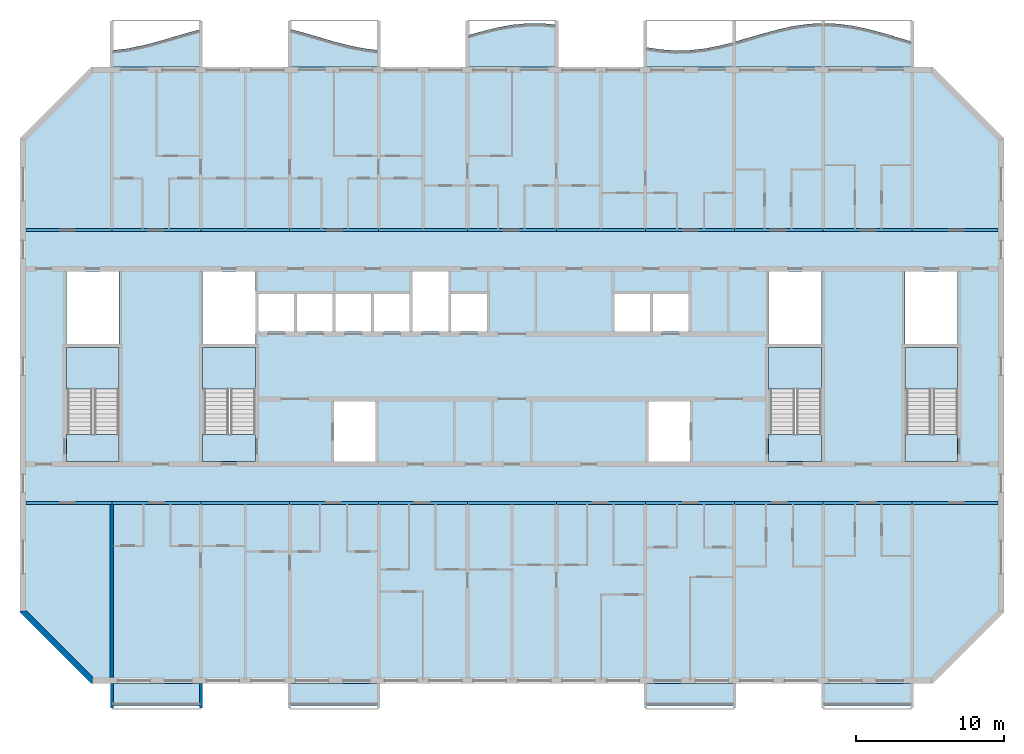
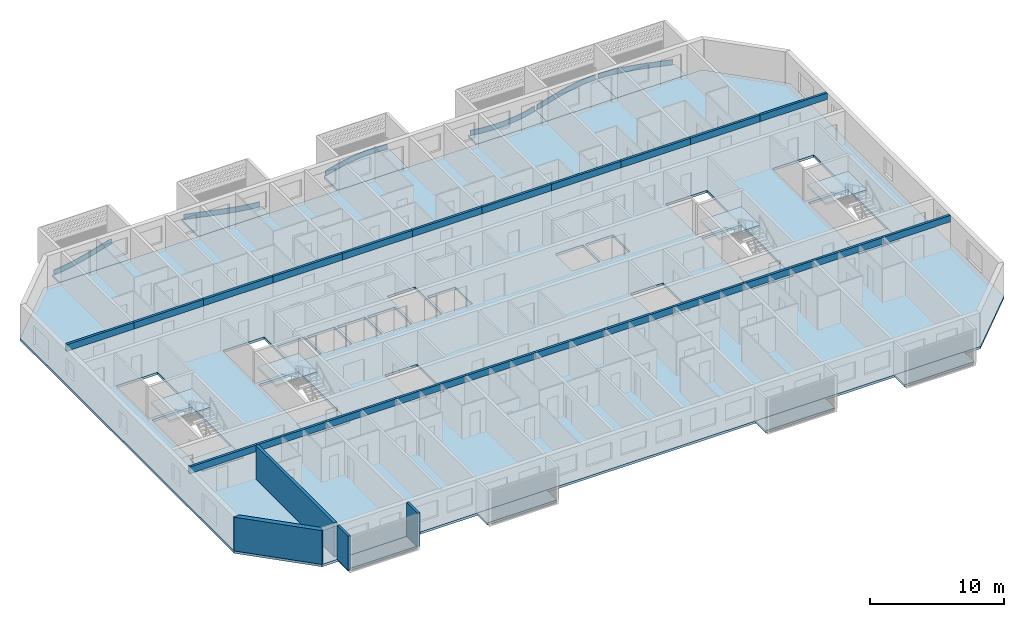
# One storey, part 1 of 26: 22 beams, 19 slabs, 6 plates, 4 walls, 4 elements without a shape of their own.
"""IFC4 building model written with IfcOpenShell, lengths in metres."""

from ifc_helpers import new_model, si_unit, direction, frame, frame_2d, origin, origin_2d, place, context, subcontext, project, spatial, polyline, rectangle, outline, extrude, source, transform, mapped, material, layer, layer_set, material_profile, profile_set, type_object, element, aggregate, save


model = new_model("IFC4")

# Units and contexts
model_context = context("Model", 3, precision=1e-05, world=origin(), true_north=direction((0.0, 1.0)))
body_context = subcontext(model_context, "Body", "Model", "MODEL_VIEW")
ifc_project = project(units=[si_unit("LENGTHUNIT", "METRE"), si_unit("AREAUNIT", "SQUARE_METRE"), si_unit("VOLUMEUNIT", "CUBIC_METRE"), si_unit("PLANEANGLEUNIT", "RADIAN"), si_unit("MASSUNIT", "GRAM", prefix="KILO")], contexts=[model_context])

# Site, building, storey
site_placement = place(None, origin())
site = spatial("IfcSite", under=ifc_project, at=site_placement, CompositionType="ELEMENT")
building_placement = place(site_placement, origin())
building = spatial("IfcBuilding", under=site, at=building_placement, Name="Poui Terraces", CompositionType="ELEMENT")
storey_placement = place(building_placement, frame((0.0, 0.0, 247.800048828125)))
storey = spatial("IfcBuildingStorey", under=building, at=storey_placement, Name="L69", CompositionType="ELEMENT", Elevation=247.800048828125)

# Beams
ifc_material_1 = material(Name="Concrete 50 MPa", Category="concrete")
ifc_material_profile = material_profile(ifc_material_1, rectangle(XDim=0.199951171875, YDim=0.60009765625, at=origin_2d()), Name="RC 200x600")
ifc_profile_set = profile_set([ifc_material_profile], Name="Concrete 50 MPa")
beam_type = type_object("IfcBeamType", Name="COUPLING BEAM 200x600 50MPa", PredefinedType="BEAM", material=ifc_profile_set)
shared_shape_1 = source(origin(), body_context, "Body", "SweptSolid", [
    extrude(rectangle(XDim=0.199951171875, YDim=0.60009765625, at=origin_2d()), origin(), (0.0, 0.0, 1.0), 5.800048828125),
])
for number, where, z_axis, x_axis, name in (
    (1, (18.199951171875, 12.0, 2.780029296875), (1.0, 0.0, 0.0), (0.0, 1.0, 0.0), "COUPLING BEAM LINE B BAY 1"),
    (2, (78.0, 12.0, 2.780029296875), (1.0, 0.0, 0.0), (0.0, 1.0, 0.0), "COUPLING BEAM LINE B BAY 11"),
    (3, (18.199951171875, 30.39990234375, 2.780029296875), (1.0, 0.0, 0.0), (0.0, 1.0, 0.0), "COUPLING BEAM LINE E BAY 1"),
    (4, (78.0, 30.39990234375, 2.780029296875), (1.0, 0.0, 0.0), (0.0, 1.0, 0.0), "COUPLING BEAM LINE E BAY 11"),
):
    element("IfcBeam", number, at=place(storey_placement, frame(where, z_axis=z_axis, x_axis=x_axis)), inside=storey, type_object=beam_type, Name=name, PredefinedType="BEAM", context=body_context, shape_type="MappedRepresentation", body=[
        mapped(shared_shape_1, transform((0.0, 0.0, 0.0))),
    ])
shared_shape_2 = source(origin(), body_context, "Body", "SweptSolid", [
    extrude(rectangle(XDim=0.199951171875, YDim=0.60009765625, at=origin_2d()), origin(), (0.0, 0.0, 1.0), 6.0),
])
for number, where, z_axis, x_axis, name in (
    (5, (24.0, 12.0, 2.780029296875), (1.0, 0.0, 0.0), (0.0, 1.0, 0.0), "COUPLING BEAM LINE B BAY 2"),
    (6, (30.0, 12.0, 2.780029296875), (1.0, 0.0, 0.0), (0.0, 1.0, 0.0), "COUPLING BEAM LINE B BAY 3"),
    (7, (36.0, 12.0, 2.780029296875), (1.0, 0.0, 0.0), (0.0, 1.0, 0.0), "COUPLING BEAM LINE B BAY 4"),
    (8, (42.0, 12.0, 2.780029296875), (1.0, 0.0, 0.0), (0.0, 1.0, 0.0), "COUPLING BEAM LINE B BAY 5"),
    (9, (48.0, 12.0, 2.780029296875), (1.0, 0.0, 0.0), (0.0, 1.0, 0.0), "COUPLING BEAM LINE B BAY 6"),
    (10, (54.0, 12.0, 2.780029296875), (1.0, 0.0, 0.0), (0.0, 1.0, 0.0), "COUPLING BEAM LINE B BAY 7"),
    (11, (60.0, 12.0, 2.780029296875), (1.0, 0.0, 0.0), (0.0, 1.0, 0.0), "COUPLING BEAM LINE B BAY 8"),
    (12, (66.0, 12.0, 2.780029296875), (1.0, 0.0, 0.0), (0.0, 1.0, 0.0), "COUPLING BEAM LINE B BAY 9"),
    (13, (72.0, 12.0, 2.780029296875), (1.0, 0.0, 0.0), (0.0, 1.0, 0.0), "COUPLING BEAM LINE B BAY 10"),
    (14, (24.0, 30.39990234375, 2.780029296875), (1.0, 0.0, 0.0), (0.0, 1.0, 0.0), "COUPLING BEAM LINE E BAY 2"),
    (15, (30.0, 30.39990234375, 2.780029296875), (1.0, 0.0, 0.0), (0.0, 1.0, 0.0), "COUPLING BEAM LINE E BAY 3"),
    (16, (36.0, 30.39990234375, 2.780029296875), (1.0, 0.0, 0.0), (0.0, 1.0, 0.0), "COUPLING BEAM LINE E BAY 4"),
    (17, (42.0, 30.39990234375, 2.780029296875), (1.0, 0.0, 0.0), (0.0, 1.0, 0.0), "COUPLING BEAM LINE E BAY 5"),
    (18, (48.0, 30.39990234375, 2.780029296875), (1.0, 0.0, 0.0), (0.0, 1.0, 0.0), "COUPLING BEAM LINE E BAY 6"),
    (19, (54.0, 30.39990234375, 2.780029296875), (1.0, 0.0, 0.0), (0.0, 1.0, 0.0), "COUPLING BEAM LINE E BAY 7"),
    (20, (60.0, 30.39990234375, 2.780029296875), (1.0, 0.0, 0.0), (0.0, 1.0, 0.0), "COUPLING BEAM LINE E BAY 8"),
    (21, (66.0, 30.39990234375, 2.780029296875), (1.0, 0.0, 0.0), (0.0, 1.0, 0.0), "COUPLING BEAM LINE E BAY 9"),
    (22, (72.0, 30.39990234375, 2.780029296875), (1.0, 0.0, 0.0), (0.0, 1.0, 0.0), "COUPLING BEAM LINE E BAY 10"),
):
    element("IfcBeam", number, at=place(storey_placement, frame(where, z_axis=z_axis, x_axis=x_axis)), inside=storey, type_object=beam_type, Name=name, PredefinedType="BEAM", context=body_context, shape_type="MappedRepresentation", body=[
        mapped(shared_shape_2, transform((0.0, 0.0, 0.0))),
    ])

# Slabs
ifc_material_2 = material(Name="Precast concrete 40 MPa", Category="concrete")
ifc_layer_1 = layer(ifc_material_2, 0.199951171875)
ifc_layer_set_1 = layer_set([ifc_layer_1], Name="Precast concrete 40 MPa")
slab_type_1 = type_object("IfcSlabType", Name="BALCONY SLAB 200", PredefinedType="FLOOR", material=ifc_layer_set_1)
slab_1_placement = place(storey_placement, frame((0.0, 0.0, -0.2001953125)))
element("IfcSlab", 23, at=slab_1_placement, inside=storey, type_object=slab_type_1, Name="BALCONY SLAB", PredefinedType="FLOOR", context=body_context, shape_type="SweptSolid", body=[
    extrude(outline(polyline([(24.0, 41.39990234375), (30.0, 41.39990234375), (30.0, 43.940185546875), (29.0, 43.67041015625), (28.0, 43.375244140625), (27.0, 43.08544921875), (26.0, 42.830322265625), (25.0, 42.63671875), (24.0, 42.52392578125), (24.0, 41.39990234375)])), origin(), (0.0, 0.0, 1.0), 0.2001953125),
])
slab_2_placement = place(storey_placement, frame((0.0, 0.0, -0.2001953125)))
element("IfcSlab", 24, at=slab_2_placement, inside=storey, type_object=slab_type_1, Name="BALCONY SLAB", PredefinedType="FLOOR", context=body_context, shape_type="SweptSolid", body=[
    extrude(outline(polyline([(36.0, 41.39990234375), (42.0, 41.39990234375), (42.0, 42.52978515625), (41.0, 42.64990234375), (40.0, 42.849609375), (39.0, 43.108642578125), (38.0, 43.400146484375), (37.0, 43.6943359375), (36.0, 43.960693359375), (36.0, 41.39990234375)])), origin(), (0.0, 0.0, 1.0), 0.2001953125),
])
slab_3_placement = place(storey_placement, frame((0.0, 0.0, -0.2001953125)))
element("IfcSlab", 25, at=slab_3_placement, inside=storey, type_object=slab_type_1, Name="BALCONY SLAB", PredefinedType="FLOOR", context=body_context, shape_type="SweptSolid", body=[
    extrude(outline(polyline([(48.0, 41.39990234375), (54.0, 41.39990234375), (54.0, 44.249755859375), (53.0, 44.33984375), (52.0, 44.3359375), (51.0, 44.23828125), (50.0, 44.056884765625), (49.0, 43.810302734375), (48.0, 43.524169921875), (48.0, 41.39990234375)])), origin(), (0.0, 0.0, 1.0), 0.2001953125),
])
slab_4_placement = place(storey_placement, frame((0.0, 0.0, -0.2001953125)))
element("IfcSlab", 26, at=slab_4_placement, inside=storey, type_object=slab_type_1, Name="BALCONY SLAB", PredefinedType="FLOOR", context=body_context, shape_type="SweptSolid", body=[
    extrude(outline(polyline([(60.0, 41.39990234375), (66.0, 41.39990234375), (66.0, 43.08544921875), (65.0, 42.830322265625), (64.0, 42.63671875), (63.0, 42.52392578125), (62.0, 42.504150390625), (61.0, 42.5791015625), (60.0, 42.740966796875), (60.0, 41.39990234375)])), origin(), (0.0, 0.0, 1.0), 0.2001953125),
])
slab_5_placement = place(storey_placement, frame((0.0, 0.0, -0.2001953125)))
element("IfcSlab", 27, at=slab_5_placement, inside=storey, type_object=slab_type_1, Name="BALCONY SLAB", PredefinedType="FLOOR", context=body_context, shape_type="SweptSolid", body=[
    extrude(outline(polyline([(66.0, 41.39990234375), (72.0, 41.39990234375), (72.0, 44.349853515625), (71.0, 44.29833984375), (70.0, 44.156982421875), (69.0, 43.940185546875), (68.0, 43.67041015625), (67.0, 43.375244140625), (66.0, 43.08544921875), (66.0, 41.39990234375)])), origin(), (0.0, 0.0, 1.0), 0.2001953125),
])
slab_6_placement = place(storey_placement, frame((0.0, 0.0, -0.2001953125)))
element("IfcSlab", 28, at=slab_6_placement, inside=storey, type_object=slab_type_1, Name="BALCONY SLAB", PredefinedType="FLOOR", context=body_context, shape_type="SweptSolid", body=[
    extrude(outline(polyline([(72.0, 41.39990234375), (78.0, 41.39990234375), (78.0, 43.108642578125), (77.0, 43.400146484375), (76.0, 43.6943359375), (75.0, 43.960693359375), (74.0, 44.171875), (73.0, 44.30615234375), (72.0, 44.349853515625), (72.0, 41.39990234375)])), origin(), (0.0, 0.0, 1.0), 0.2001953125),
])

# Stair, slabs
stair_type = type_object("IfcStairType", Name="EXIT STAIR 1650 50 MPA", PredefinedType="HALF_TURN_STAIR", material=ifc_material_1)
stair_1_placement = place(storey_placement, origin())
stair_1 = element("IfcStair", 29, at=stair_1_placement, inside=storey, type_object=stair_type, Name="L69 CORE STAIR EAST", PredefinedType="HALF_TURN_STAIR")
ifc_layer_2 = layer(ifc_material_1, 0.199951171875)
ifc_layer_set_2 = layer_set([ifc_layer_2], Name="Concrete 50 MPa")
slab_type_2 = type_object("IfcSlabType", Name="STAIR LANDING 200 50 MPA", PredefinedType="LANDING", material=ifc_layer_set_2)
slab_7_placement = place(storey_placement, frame((0.0, 0.0, 1.449951171875)))
slab_7 = element("IfcSlab", 30, at=slab_7_placement, type_object=slab_type_2, Name="ST-CE landing 1", PredefinedType="LANDING", context=body_context, shape_type="SweptSolid", body=[
    extrude(outline(polyline([(68.324951171875, 19.679931640625), (71.875, 19.679931640625), (71.875, 22.47509765625), (68.324951171875, 22.47509765625), (68.324951171875, 19.679931640625)])), origin(), (0.0, 0.0, 1.0), 0.199951171875),
])
slab_8_placement = place(storey_placement, frame((0.0, 0.0, -0.2001953125)))
slab_8 = element("IfcSlab", 31, at=slab_8_placement, type_object=slab_type_2, Name="ST-CE landing 2", PredefinedType="LANDING", context=body_context, shape_type="SweptSolid", body=[
    extrude(outline(polyline([(68.324951171875, 14.77490234375), (71.875, 14.77490234375), (71.875, 16.60009765625), (68.324951171875, 16.60009765625), (68.324951171875, 14.77490234375)])), origin(), (0.0, 0.0, 1.0), 0.2001953125),
])
aggregate(stair_1, [slab_7, slab_8])

stair_2_placement = place(storey_placement, origin())
stair_2 = element("IfcStair", 32, at=stair_2_placement, inside=storey, type_object=stair_type, Name="L69 CORE STAIR WEST", PredefinedType="HALF_TURN_STAIR")
slab_9_placement = place(storey_placement, frame((0.0, 0.0, 1.449951171875)))
slab_9 = element("IfcSlab", 33, at=slab_9_placement, type_object=slab_type_2, Name="ST-CW landing 1", PredefinedType="LANDING", context=body_context, shape_type="SweptSolid", body=[
    extrude(outline(polyline([(30.125, 19.679931640625), (33.675048828125, 19.679931640625), (33.675048828125, 22.47509765625), (30.125, 22.47509765625), (30.125, 19.679931640625)])), origin(), (0.0, 0.0, 1.0), 0.199951171875),
])
slab_10_placement = place(storey_placement, frame((0.0, 0.0, -0.2001953125)))
slab_10 = element("IfcSlab", 34, at=slab_10_placement, type_object=slab_type_2, Name="ST-CW landing 2", PredefinedType="LANDING", context=body_context, shape_type="SweptSolid", body=[
    extrude(outline(polyline([(30.125, 14.77490234375), (33.675048828125, 14.77490234375), (33.675048828125, 16.60009765625), (30.125, 16.60009765625), (30.125, 14.77490234375)])), origin(), (0.0, 0.0, 1.0), 0.2001953125),
])
aggregate(stair_2, [slab_9, slab_10])

stair_3_placement = place(storey_placement, origin())
stair_3 = element("IfcStair", 35, at=stair_3_placement, inside=storey, type_object=stair_type, Name="L69 TIP STAIR EAST", PredefinedType="HALF_TURN_STAIR")
slab_11_placement = place(storey_placement, frame((0.0, 0.0, 1.449951171875)))
slab_11 = element("IfcSlab", 36, at=slab_11_placement, type_object=slab_type_2, Name="ST-E landing 1", PredefinedType="LANDING", context=body_context, shape_type="SweptSolid", body=[
    extrude(outline(polyline([(77.52490234375, 19.679931640625), (81.074951171875, 19.679931640625), (81.074951171875, 22.47509765625), (77.52490234375, 22.47509765625), (77.52490234375, 19.679931640625)])), origin(), (0.0, 0.0, 1.0), 0.199951171875),
])
slab_12_placement = place(storey_placement, frame((0.0, 0.0, -0.2001953125)))
slab_12 = element("IfcSlab", 37, at=slab_12_placement, type_object=slab_type_2, Name="ST-E landing 2", PredefinedType="LANDING", context=body_context, shape_type="SweptSolid", body=[
    extrude(outline(polyline([(77.52490234375, 14.77490234375), (81.074951171875, 14.77490234375), (81.074951171875, 16.60009765625), (77.52490234375, 16.60009765625), (77.52490234375, 14.77490234375)])), origin(), (0.0, 0.0, 1.0), 0.2001953125),
])
aggregate(stair_3, [slab_11, slab_12])

stair_4_placement = place(storey_placement, origin())
stair_4 = element("IfcStair", 38, at=stair_4_placement, inside=storey, type_object=stair_type, Name="L69 TIP STAIR WEST", PredefinedType="HALF_TURN_STAIR")
slab_13_placement = place(storey_placement, frame((0.0, 0.0, 1.449951171875)))
slab_13 = element("IfcSlab", 39, at=slab_13_placement, type_object=slab_type_2, Name="ST-W landing 1", PredefinedType="LANDING", context=body_context, shape_type="SweptSolid", body=[
    extrude(outline(polyline([(20.925048828125, 19.679931640625), (24.47509765625, 19.679931640625), (24.47509765625, 22.47509765625), (20.925048828125, 22.47509765625), (20.925048828125, 19.679931640625)])), origin(), (0.0, 0.0, 1.0), 0.199951171875),
])
slab_14_placement = place(storey_placement, frame((0.0, 0.0, -0.2001953125)))
slab_14 = element("IfcSlab", 40, at=slab_14_placement, type_object=slab_type_2, Name="ST-W landing 2", PredefinedType="LANDING", context=body_context, shape_type="SweptSolid", body=[
    extrude(outline(polyline([(20.925048828125, 14.77490234375), (24.47509765625, 14.77490234375), (24.47509765625, 16.60009765625), (20.925048828125, 16.60009765625), (20.925048828125, 14.77490234375)])), origin(), (0.0, 0.0, 1.0), 0.2001953125),
])
aggregate(stair_4, [slab_13, slab_14])

# Plates
ifc_layer_3 = layer(ifc_material_2, 0.080078125)
ifc_layer_set_3 = layer_set([ifc_layer_3], Name="Precast concrete 40 MPa")
plate_type = type_object("IfcPlateType", Name="SUNSHADE UPSTAND 80", PredefinedType="SHEET", material=ifc_layer_set_3)
plate_1_placement = place(storey_placement, origin())
element("IfcPlate", 41, at=plate_1_placement, inside=storey, type_object=plate_type, Name="SUNSHADE UPSTAND", PredefinedType="SHEET", context=body_context, shape_type="SweptSolid", body=[
    extrude(outline(polyline([(24.993896484375, 42.631103515625), (24.120361328125, 42.52783203125), (24.129638671875, 42.448486328125), (25.006103515625, 42.552001953125), (26.0087890625, 42.746337890625), (27.010498046875, 43.001708984375), (28.01123046875, 43.2919921875), (29.010986328125, 43.5869140625), (29.885498046875, 43.8251953125), (29.864501953125, 43.90234375), (28.989013671875, 43.663818359375), (27.98876953125, 43.36865234375), (26.989501953125, 43.0791015625), (25.9912109375, 42.824462890625), (24.993896484375, 42.631103515625)])), origin(), (0.0, 0.0, 1.0), 0.449951171875),
])
plate_2_placement = place(storey_placement, origin())
element("IfcPlate", 42, at=plate_2_placement, inside=storey, type_object=plate_type, Name="SUNSHADE UPSTAND", PredefinedType="SHEET", context=body_context, shape_type="SweptSolid", body=[
    extrude(outline(polyline([(37.0107421875, 43.687744140625), (36.135498046875, 43.923583984375), (36.114501953125, 43.84619140625), (36.9892578125, 43.61083984375), (37.98876953125, 43.31689453125), (38.989501953125, 43.025146484375), (39.9912109375, 42.765625), (40.99365234375, 42.5654296875), (41.8701171875, 42.455322265625), (41.8798828125, 42.53466796875), (41.00634765625, 42.644287109375), (40.0087890625, 42.84375), (39.010498046875, 43.102294921875), (38.01123046875, 43.3935546875), (37.0107421875, 43.687744140625)])), origin(), (0.0, 0.0, 1.0), 0.449951171875),
])
plate_3_placement = place(storey_placement, origin())
element("IfcPlate", 43, at=plate_3_placement, inside=storey, type_object=plate_type, Name="SUNSHADE UPSTAND", PredefinedType="SHEET", context=body_context, shape_type="SweptSolid", body=[
    extrude(outline(polyline([(48.98974609375, 43.803955078125), (48.114013671875, 43.5546875), (48.135986328125, 43.4775390625), (49.01025390625, 43.7265625), (50.00830078125, 43.97265625), (51.005615234375, 44.153564453125), (52.001953125, 44.2509765625), (52.998291015625, 44.2548828125), (53.87158203125, 44.18115234375), (53.87841796875, 44.2607421875), (53.86328125, 44.26220703125), (53.001708984375, 44.3349609375), (51.998046875, 44.330810546875), (50.994384765625, 44.23291015625), (49.99169921875, 44.05078125), (48.98974609375, 43.803955078125)])), origin(), (0.0, 0.0, 1.0), 0.449951171875),
])
plate_4_placement = place(storey_placement, origin())
element("IfcPlate", 44, at=plate_4_placement, inside=storey, type_object=plate_type, Name="SUNSHADE UPSTAND", PredefinedType="SHEET", context=body_context, shape_type="SweptSolid", body=[
    extrude(outline(polyline([(61.004638671875, 42.57373046875), (60.131103515625, 42.7109375), (60.118896484375, 42.6318359375), (60.995361328125, 42.494140625), (61.998779296875, 42.419189453125), (63.002685546875, 42.43896484375), (64.006103515625, 42.552001953125), (65.0087890625, 42.746337890625), (65.884765625, 42.96728515625), (65.865234375, 43.044921875), (64.9912109375, 42.824462890625), (63.993896484375, 42.631103515625), (62.997314453125, 42.518798828125), (62.001220703125, 42.4990234375), (61.004638671875, 42.57373046875)])), origin(), (0.0, 0.0, 1.0), 0.449951171875),
])
plate_5_placement = place(storey_placement, origin())
element("IfcPlate", 45, at=plate_5_placement, inside=storey, type_object=plate_type, Name="SUNSHADE UPSTAND", PredefinedType="SHEET", context=body_context, shape_type="SweptSolid", body=[
    extrude(outline(polyline([(66.98876953125, 43.36865234375), (66.11376953125, 43.11376953125), (66.13623046875, 43.036865234375), (67.01123046875, 43.2919921875), (68.010986328125, 43.5869140625), (69.009521484375, 43.856201171875), (70.007080078125, 44.072509765625), (71.00390625, 44.21337890625), (71.877197265625, 44.263671875), (71.872802734375, 44.343505859375), (71.83154296875, 44.34130859375), (70.99609375, 44.293212890625), (69.992919921875, 44.1513671875), (68.990478515625, 43.93408203125), (67.989013671875, 43.663818359375), (66.98876953125, 43.36865234375)])), origin(), (0.0, 0.0, 1.0), 0.449951171875),
])
plate_6_placement = place(storey_placement, origin())
element("IfcPlate", 46, at=plate_6_placement, inside=storey, type_object=plate_type, Name="SUNSHADE UPSTAND", PredefinedType="SHEET", context=body_context, shape_type="SweptSolid", body=[
    extrude(outline(polyline([(73.003662109375, 44.301025390625), (72.168212890625, 44.342529296875), (72.126953125, 44.344482421875), (72.123046875, 44.2646484375), (72.996337890625, 44.221435546875), (73.9931640625, 44.08740234375), (74.99072265625, 43.876708984375), (75.9892578125, 43.610595703125), (76.98876953125, 43.31689453125), (77.86376953125, 43.060546875), (77.88623046875, 43.13720703125), (77.01123046875, 43.3935546875), (76.0107421875, 43.687744140625), (75.00927734375, 43.95458984375), (74.0068359375, 44.166259765625), (73.003662109375, 44.301025390625)])), origin(), (0.0, 0.0, 1.0), 0.449951171875),
])

# Slabs
ifc_material_3 = material(Name="Concrete 40 MPa", Category="concrete")
ifc_layer_4 = layer(ifc_material_3, 0.219970703125)
ifc_layer_set_4 = layer_set([ifc_layer_4], Name="Concrete 40 MPa")
slab_type_3 = type_object("IfcSlabType", Name="FLOOR SLAB 220", PredefinedType="FLOOR", material=ifc_layer_set_4)
shared_shape_3 = source(origin(), body_context, "Body", "SweptSolid", [
    extrude(outline(polyline([(0.0, 0.0), (4.800048828125, -4.800048828125), (61.599853515625, -4.800048828125), (66.39990234375, 0.0), (66.39990234375, 32.0), (61.599853515625, 36.7998046875), (4.800048828125, 36.7998046875), (0.0, 32.0), (0.0, 0.0)]), holes=[polyline([(21.199951171875, 10.1748046875), (21.199951171875, 14.224853515625), (24.0, 14.224853515625), (24.0, 10.1748046875), (21.199951171875, 10.1748046875)]), polyline([(3.224853515625, 17.849853515625), (6.675048828125, 17.849853515625), (6.675048828125, 12.0), (6.675048828125, 10.1748046875), (3.125, 10.1748046875), (3.125, 12.0), (3.224853515625, 12.0), (3.224853515625, 17.849853515625)]), polyline([(12.425048828125, 17.849853515625), (15.875, 17.849853515625), (15.875, 12.0), (15.875, 10.1748046875), (12.324951171875, 10.1748046875), (12.324951171875, 12.0), (12.425048828125, 12.0), (12.425048828125, 17.849853515625)]), polyline([(16.099853515625, 18.974853515625), (16.099853515625, 21.5), (18.5, 21.5), (18.5, 18.974853515625), (16.099853515625, 18.974853515625)]), polyline([(18.699951171875, 18.974853515625), (18.699951171875, 21.5), (21.099853515625, 21.5), (21.099853515625, 18.974853515625), (18.699951171875, 18.974853515625)]), polyline([(21.300048828125, 18.974853515625), (21.300048828125, 21.5), (23.699951171875, 21.5), (23.699951171875, 18.974853515625), (21.300048828125, 18.974853515625)]), polyline([(23.89990234375, 18.974853515625), (23.89990234375, 21.5), (26.300048828125, 21.5), (26.300048828125, 18.974853515625), (23.89990234375, 18.974853515625)]), polyline([(3.125, 23.02490234375), (6.675048828125, 23.02490234375), (6.675048828125, 18.125), (3.125, 18.125), (3.125, 23.02490234375)]), polyline([(12.324951171875, 23.02490234375), (15.875, 23.02490234375), (15.875, 18.125), (12.324951171875, 18.125), (12.324951171875, 23.02490234375)]), polyline([(42.39990234375, 10.1748046875), (42.39990234375, 14.224853515625), (45.199951171875, 14.224853515625), (45.199951171875, 10.1748046875), (42.39990234375, 10.1748046875)]), polyline([(50.625, 17.849853515625), (54.074951171875, 17.849853515625), (54.074951171875, 12.0), (54.074951171875, 10.1748046875), (50.52490234375, 10.1748046875), (50.52490234375, 12.0), (50.625, 12.0), (50.625, 17.849853515625)]), polyline([(59.824951171875, 17.849853515625), (63.27490234375, 17.849853515625), (63.27490234375, 12.0), (63.27490234375, 10.1748046875), (59.724853515625, 10.1748046875), (59.724853515625, 12.0), (59.824951171875, 12.0), (59.824951171875, 17.849853515625)]), polyline([(29.099853515625, 18.974853515625), (29.099853515625, 21.5), (31.5, 21.5), (31.5, 18.974853515625), (29.099853515625, 18.974853515625)]), polyline([(40.099853515625, 18.974853515625), (40.099853515625, 21.5), (42.5, 21.5), (42.5, 18.974853515625), (40.099853515625, 18.974853515625)]), polyline([(42.699951171875, 18.974853515625), (42.699951171875, 21.5), (45.099853515625, 21.5), (45.099853515625, 18.974853515625), (42.699951171875, 18.974853515625)]), polyline([(50.52490234375, 18.125), (50.52490234375, 23.02490234375), (54.074951171875, 23.02490234375), (54.074951171875, 18.125), (50.52490234375, 18.125)]), polyline([(59.724853515625, 23.02490234375), (63.27490234375, 23.02490234375), (63.27490234375, 18.125), (59.724853515625, 18.125), (59.724853515625, 23.02490234375)]), polyline([(26.5, 23.02490234375), (28.89990234375, 23.02490234375), (28.89990234375, 18.974853515625), (26.5, 18.974853515625), (26.5, 23.02490234375)])]), origin(), (0.0, 0.0, 1.0), 0.22021484375),
])
slab_15_placement = place(storey_placement, frame((17.800048828125, 4.60009765625, -0.22021484375)))
element("IfcSlab", 47, at=slab_15_placement, inside=storey, type_object=slab_type_3, Name="FLOOR SLAB", PredefinedType="FLOOR", context=body_context, shape_type="MappedRepresentation", body=[
    mapped(shared_shape_3, transform((0.0, 0.0, 0.0))),
])
ifc_layer_5 = layer(ifc_material_2, 0.199951171875)
ifc_layer_set_5 = layer_set([ifc_layer_5], Name="Precast concrete 40 MPa")
slab_type_4 = type_object("IfcSlabType", Name="REAR BALCONY SLAB 200", PredefinedType="FLOOR", material=ifc_layer_set_5)
shared_shape_4 = source(origin(), body_context, "Body", "SweptSolid", [
    extrude(outline(polyline([(0.0, 0.0), (6.0, 0.0), (6.0, 1.5), (0.0, 1.5), (0.0, 0.0)])), origin(), (0.0, 0.0, 1.0), 0.2001953125),
])
for number, where, name in (
    (48, (24.0, -1.699951171875, -0.2001953125), "REAR BALCONY SLAB"),
    (49, (36.0, -1.699951171875, -0.2001953125), "REAR BALCONY SLAB"),
    (50, (60.0, -1.699951171875, -0.2001953125), "REAR BALCONY SLAB"),
    (51, (72.0, -1.699951171875, -0.2001953125), "REAR BALCONY SLAB"),
):
    element("IfcSlab", number, at=place(storey_placement, frame(where)), inside=storey, type_object=slab_type_4, Name=name, PredefinedType="FLOOR", context=body_context, shape_type="MappedRepresentation", body=[
        mapped(shared_shape_4, transform((0.0, 0.0, 0.0))),
    ])

# Walls
ifc_layer_6 = layer(ifc_material_1, 0.25)
ifc_layer_set_6 = layer_set([ifc_layer_6], Name="Concrete 50 MPa")
wall_type_1 = type_object("IfcWallType", Name="CROSS WALL 250 50MPa", PredefinedType="SHEAR", material=ifc_layer_set_6)
wall_1_placement = place(storey_placement, frame((24.0, 0.199951171875, 0.0), z_axis=(0.0, 0.0, 1.0), x_axis=(0.0, 1.0, 0.0)))
element("IfcWall", 52, at=wall_1_placement, inside=storey, type_object=wall_type_1, Name="CROSS WALL LINE 5 SOUTH", PredefinedType="SHEAR", context=body_context, shape_type="SweptSolid", body=[
    extrude(rectangle(XDim=11.699951171875, YDim=0.25, at=frame_2d((5.85009765625, 0.0))), origin(), (0.0, 0.0, 1.0), 3.079833984375),
])
ifc_layer_7 = layer(ifc_material_2, 0.39990234375)
ifc_layer_set_7 = layer_set([ifc_layer_7], Name="Precast concrete 40 MPa")
wall_type_2 = type_object("IfcWallType", Name="TERRACOTTA CLAD CHAMFER WALL 400", PredefinedType="STANDARD", material=ifc_layer_set_7)
wall_2_placement = place(storey_placement, origin())
element("IfcWall", 53, at=wall_2_placement, inside=storey, type_object=wall_type_2, Name="CHAMFER WALL CH07", PredefinedType="STANDARD", context=body_context, shape_type="SweptSolid", body=[
    extrude(outline(polyline([(17.800048828125, 4.682861328125), (17.800048828125, 4.60009765625), (22.60009765625, -0.199951171875), (22.682861328125, -0.199951171875), (22.682861328125, 0.28271484375), (18.28271484375, 4.682861328125), (17.800048828125, 4.682861328125)])), origin(), (0.0, 0.0, 1.0), 3.079833984375),
])
ifc_layer_8 = layer(ifc_material_2, 0.199951171875)
ifc_layer_set_8 = layer_set([ifc_layer_8], Name="Precast concrete 40 MPa")
wall_type_3 = type_object("IfcWallType", Name="REAR FIN 200", PredefinedType="STANDARD", material=ifc_layer_set_8)
shared_shape_5 = source(origin(), body_context, "Body", "SweptSolid", [
    extrude(outline(polyline([(0.0, 0.0), (0.2001953125, 0.0), (0.2001953125, 1.650146484375), (0.0, 1.650146484375), (0.0, 0.0)])), origin(), (0.0, 0.0, 1.0), 3.099853515625),
])
for number, where, name in (
    (54, (23.89990234375, -1.85009765625, 0.0), "REAR FIN"),
    (55, (29.89990234375, -1.85009765625, 0.0), "REAR FIN"),
):
    element("IfcWall", number, at=place(storey_placement, frame(where)), inside=storey, type_object=wall_type_3, Name=name, PredefinedType="STANDARD", context=body_context, shape_type="MappedRepresentation", body=[
        mapped(shared_shape_5, transform((0.0, 0.0, 0.0))),
    ])

save(model, "model.ifc")
